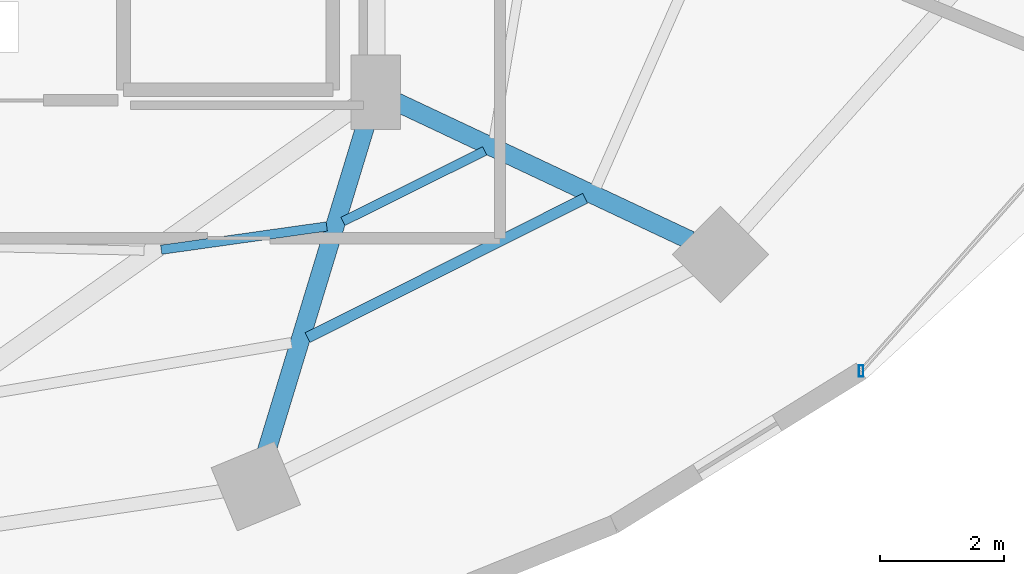
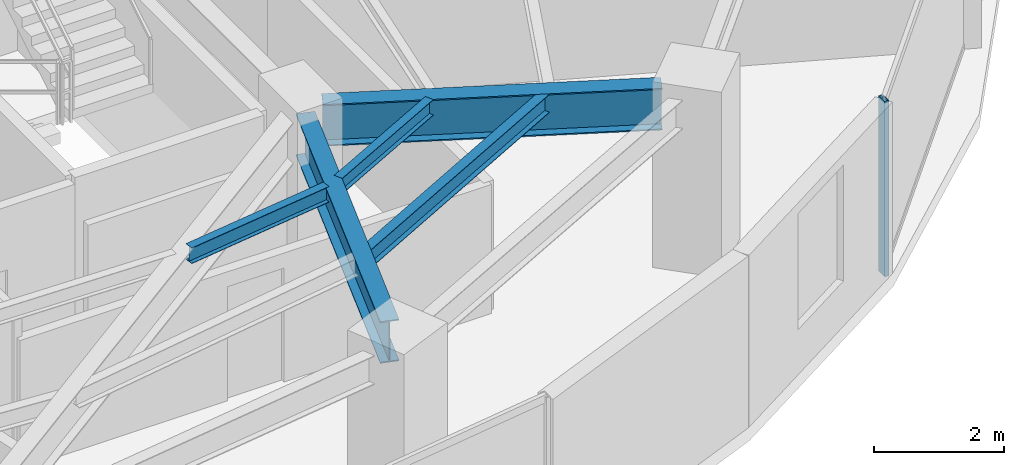
# One storey, part 12 of 29: 5 beams, 1 member, 1 element without a shape of its own.
"""IFC4 building model written with IfcOpenShell, lengths in metres."""

from ifc_helpers import new_model, si_unit, direction, frame, origin, origin_2d, place, context, subcontext, project, spatial, hollow_rectangle, i_section, extrude, material, material_profile, profile_set, type_object, element, aggregate, save


model = new_model("IFC4")

# Units and contexts
model_context = context("Model", 3, precision=1e-05, world=origin(), true_north=direction((0.0, 1.0)))
body_context = subcontext(model_context, "Body", "Model", "MODEL_VIEW")
ifc_project = project(units=[si_unit("LENGTHUNIT", "METRE"), si_unit("AREAUNIT", "SQUARE_METRE"), si_unit("VOLUMEUNIT", "CUBIC_METRE"), si_unit("PLANEANGLEUNIT", "RADIAN"), si_unit("MASSUNIT", "GRAM", prefix="KILO")], contexts=[model_context])

# Site, building, storey
site_placement = place(None, origin())
site = spatial("IfcSite", under=ifc_project, at=site_placement, CompositionType="ELEMENT")
building_placement = place(site_placement, origin())
building = spatial("IfcBuilding", under=site, at=building_placement, Name="Vorneva Point Tower", CompositionType="ELEMENT")
storey_placement = place(building_placement, frame((0.0, 0.0, 85.800048828125)))
storey = spatial("IfcBuildingStorey", under=building, at=storey_placement, Name="L22", CompositionType="ELEMENT", Elevation=85.800048828125)

# Beams
ifc_material_1 = material(Name="Steel S355", Category="steel")
ifc_material_profile_1 = material_profile(ifc_material_1, i_section(OverallWidth=0.300048828125, OverallDepth=0.7880859375, WebThickness=0.014404296875, FlangeThickness=0.02197265625, at=origin_2d()), Name="80Sh1")
ifc_profile_set_1 = profile_set([ifc_material_profile_1], Name="Steel S355")
beam_type_1 = type_object("IfcBeamType", Name="BM-GRD-80Sh1", PredefinedType="USERDEFINED", material=ifc_profile_set_1)
beam_1_placement = place(storey_placement, frame((46.9775390625, 10.6240234375, 2.845947265625), z_axis=(0.291034888253, 0.956712440506, 0.0), x_axis=(-0.956712440506, 0.291034888253, 0.0)))
element("IfcBeam", 1, at=beam_1_placement, inside=storey, type_object=beam_type_1, Name="L22 Radial Primary Girder 14", ObjectType="GIRDER", PredefinedType="USERDEFINED", context=body_context, shape_type="SweptSolid", body=[
    extrude(i_section(OverallWidth=0.300048828125, OverallDepth=0.7880859375, WebThickness=0.014404296875, FlangeThickness=0.02197265625, at=origin_2d()), origin(), (0.0, 0.0, 1.0), 5.74951171875),
])
beam_2_placement = place(storey_placement, frame((53.81201171875, 14.06689453125, 2.845947265625), z_axis=(-0.904751304927, 0.425940226126, 0.0), x_axis=(-0.425940226126, -0.904751304927, 0.0)))
element("IfcBeam", 2, at=beam_2_placement, inside=storey, type_object=beam_type_1, Name="L22 Radial Primary Girder 15", ObjectType="GIRDER", PredefinedType="USERDEFINED", context=body_context, shape_type="SweptSolid", body=[
    extrude(i_section(OverallWidth=0.300048828125, OverallDepth=0.7880859375, WebThickness=0.014404296875, FlangeThickness=0.02197265625, at=origin_2d()), origin(), (0.0, 0.0, 1.0), 5.2548828125),
])
ifc_material_profile_2 = material_profile(ifc_material_1, i_section(OverallWidth=0.14892578125, OverallDepth=0.298095703125, WebThickness=0.005615234375, FlangeThickness=0.008056640625, at=origin_2d()), Name="30B1")
ifc_profile_set_2 = profile_set([ifc_material_profile_2], Name="Steel S355")
beam_type_2 = type_object("IfcBeamType", Name="BM-JST-30B1", PredefinedType="JOIST", material=ifc_profile_set_2)
beam_3_placement = place(storey_placement, frame((45.298095703125, 13.91552734375, 3.091064453125), z_axis=(0.990250320803, 0.139299325736, 0.0), x_axis=(-0.139299325736, 0.990250320803, 0.0)))
element("IfcBeam", 3, at=beam_3_placement, inside=storey, type_object=beam_type_2, Name="L22 Secondary Floor Beam 2.13", PredefinedType="JOIST", context=body_context, shape_type="SweptSolid", body=[
    extrude(i_section(OverallWidth=0.14892578125, OverallDepth=0.298095703125, WebThickness=0.005615234375, FlangeThickness=0.008056640625, at=origin_2d()), origin(), (0.0, 0.0, 1.0), 2.690185546875),
])
beam_4_placement = place(storey_placement, frame((48.222412109375, 14.370849609375, 3.091064453125), z_axis=(0.895364579083, 0.445333886566, 0.0), x_axis=(-0.445333886566, 0.895364579083, 0.0)))
element("IfcBeam", 4, at=beam_4_placement, inside=storey, type_object=beam_type_2, Name="L22 Secondary Floor Beam 2.14", PredefinedType="JOIST", context=body_context, shape_type="SweptSolid", body=[
    extrude(i_section(OverallWidth=0.14892578125, OverallDepth=0.298095703125, WebThickness=0.005615234375, FlangeThickness=0.008056640625, at=origin_2d()), origin(), (0.0, 0.0, 1.0), 2.547119140625),
])
ifc_material_profile_3 = material_profile(ifc_material_1, i_section(OverallWidth=0.174072265625, OverallDepth=0.345947265625, WebThickness=0.006103515625, FlangeThickness=0.009033203125, at=origin_2d()), Name="35B1")
ifc_profile_set_3 = profile_set([ifc_material_profile_3], Name="Steel S355")
beam_type_3 = type_object("IfcBeamType", Name="BM-SEC-35B1", PredefinedType="BEAM", material=ifc_profile_set_3)
beam_5_placement = place(storey_placement, frame((47.653076171875, 12.501220703125, 3.06689453125), z_axis=(0.893693254795, 0.448678466537, 0.0), x_axis=(-0.448678466537, 0.893693254795, 0.0)))
element("IfcBeam", 5, at=beam_5_placement, inside=storey, type_object=beam_type_3, Name="L22 Secondary Floor Beam 1.14", PredefinedType="BEAM", context=body_context, shape_type="SweptSolid", body=[
    extrude(i_section(OverallWidth=0.174072265625, OverallDepth=0.345947265625, WebThickness=0.006103515625, FlangeThickness=0.009033203125, at=origin_2d()), origin(), (0.0, 0.0, 1.0), 4.997802734375),
])

# Curtain wall, member
ifc_material_2 = material(Name="Pale anodised aluminium", Category="aluminium")
curtain_wall_type = type_object("IfcCurtainWallType", Name="CW-HTL-SYS", PredefinedType="NOTDEFINED", material=ifc_material_2)
curtain_wall_placement = place(storey_placement, origin())
curtain_wall = element("IfcCurtainWall", 6, at=curtain_wall_placement, inside=storey, type_object=curtain_wall_type, Name="L22 Unitised Curtain Wall CW-L22-R04", PredefinedType="NOTDEFINED")
ifc_material_profile_4 = material_profile(ifc_material_2, hollow_rectangle(XDim=0.074951171875, YDim=0.179931640625, WallThickness=0.00390625, at=origin_2d()), Name="AL-MUL 180x75x4")
ifc_profile_set_4 = profile_set([ifc_material_profile_4], Name="Pale anodised aluminium")
member_type = type_object("IfcMemberType", Name="CW-MUL-180", PredefinedType="MULLION", material=ifc_profile_set_4)
member_placement = place(storey_placement, frame((56.5615234375, 11.9638671875, -0.0400390625), z_axis=(0.0, 0.0, 1.0), x_axis=(1.0, 0.0, 0.0)))
member = element("IfcMember", 7, at=member_placement, type_object=member_type, Name="CW-L22-R04 Mullion 01", PredefinedType="MULLION", context=body_context, shape_type="SweptSolid", body=[
    extrude(hollow_rectangle(XDim=0.074951171875, YDim=0.179931640625, WallThickness=0.00390625, at=origin_2d()), origin(), (0.0, 0.0, 1.0), 3.31005859375),
])
aggregate(curtain_wall, [member])

save(model, "model.ifc")
